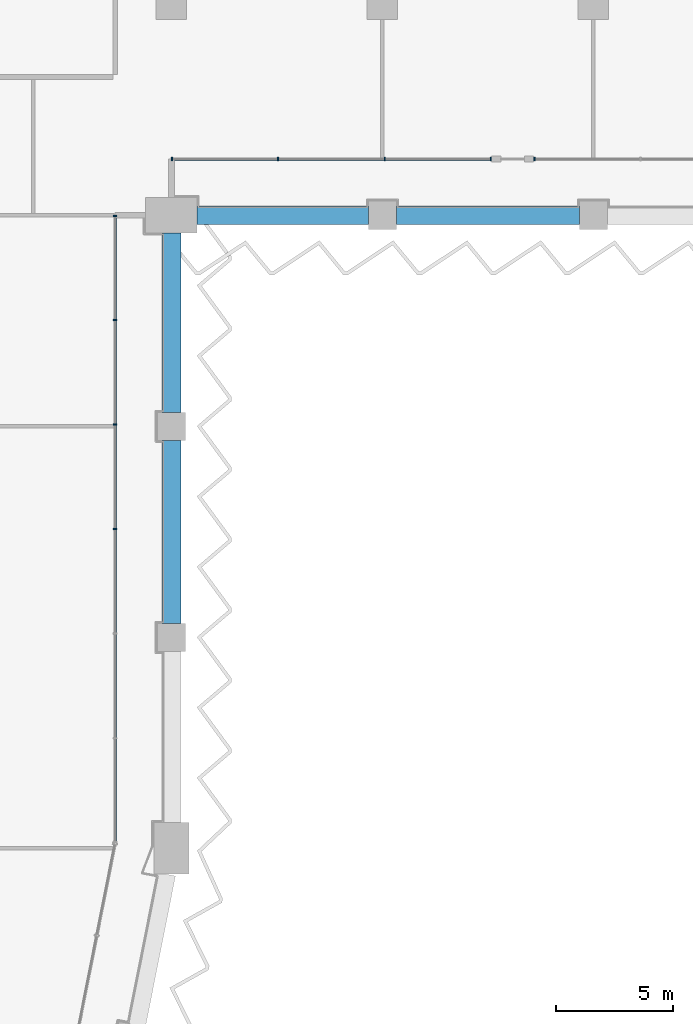
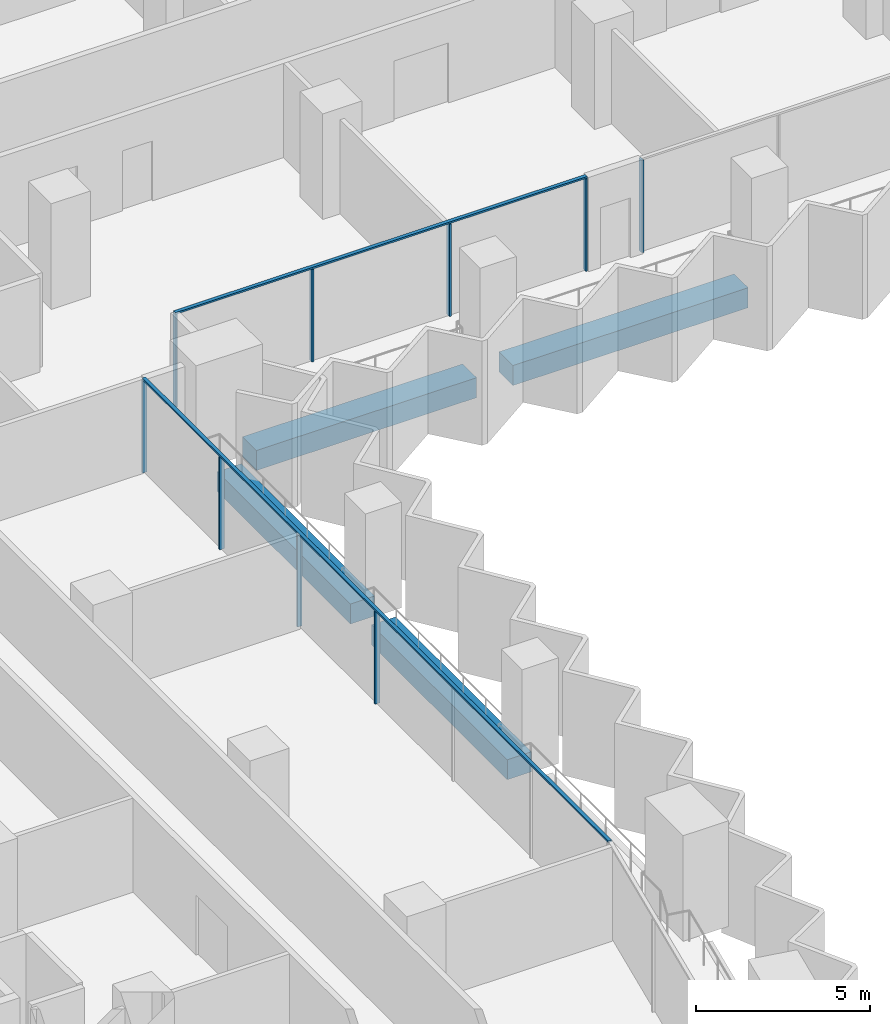
# One storey, part 4 of 23: 11 members, 4 beams, 3 elements without a shape of their own.
"""IFC4 building model written with IfcOpenShell, lengths in metres."""

import ifcopenshell
import ifcopenshell.guid

model = None  # the IFC model being written
_history = None  # IfcOwnerHistory: only IFC2X3 demands one
_inside = {}  # id of a spatial element -> (the spatial element, [elements in it])
_under = {}  # id of a project, library or spatial element -> (it, [spatial elements below it])
_declared = {}  # id of a project -> (the project, [libraries it declares])
_typed = {}  # id of a type object -> (the type object, [elements of that type])
_made_of = {}  # id of a material, layer set ... -> (it, [elements and type objects made of it])


def new_model(schema):
    """Start an empty IFC model of exactly this schema.

    Asked for "IFC4X3", IfcOpenShell would pick the latest addendum, in which some entities
    have other attributes; the version numbers below select the first issue.
    IFC2X3 requires an IfcOwnerHistory on every rooted entity: one is made here for all.
    """
    global model, _history
    if schema == "IFC4X3":
        model = ifcopenshell.file(schema_version=(4, 3, 0, 0))
    else:
        model = ifcopenshell.file(schema=schema)
    _inside.clear()
    _under.clear()
    _declared.clear()
    _typed.clear()
    _made_of.clear()
    _history = None
    if model.schema == "IFC2X3":
        org = make("IfcOrganization", Name="unknown")
        user = make(
            "IfcPersonAndOrganization",
            ThePerson=make("IfcPerson", FamilyName="unknown"),
            TheOrganization=org,
        )
        app = make(
            "IfcApplication",
            ApplicationDeveloper=org,
            Version="unknown",
            ApplicationFullName="unknown",
            ApplicationIdentifier="unknown",
        )
        _history = make(
            "IfcOwnerHistory",
            OwningUser=user,
            OwningApplication=app,
            ChangeAction="ADDED",
            CreationDate=0,
        )
    return model


def make(cls, **values):
    """One entity of the class cls with the attributes given. An attribute that is None is left unset."""
    return model.create_entity(
        cls, **{name: value for name, value in values.items() if value is not None}
    )


def rooted(cls, **values):
    """An entity with a GlobalId (a new one), such as an element, a storey or a relation."""
    return make(cls, GlobalId=ifcopenshell.guid.new(), OwnerHistory=_history, **values)


def si_unit(unit_type, name, prefix=None):
    """IfcSIUnit, for example si_unit("LENGTHUNIT", "METRE", prefix="MILLI")."""
    return make("IfcSIUnit", UnitType=unit_type, Prefix=prefix, Name=name)


def assignment(units):
    """IfcUnitAssignment: the units of a project."""
    return None if units is None else make("IfcUnitAssignment", Units=units)


def point(xyz):
    """IfcCartesianPoint."""
    return None if xyz is None else make("IfcCartesianPoint", Coordinates=xyz)


def direction(xyz):
    """IfcDirection."""
    return None if xyz is None else make("IfcDirection", DirectionRatios=xyz)


def frame(location, z_axis=None, x_axis=None):
    """IfcAxis2Placement3D, a coordinate frame: its origin and axes. An axis left out is left unset."""
    return make(
        "IfcAxis2Placement3D",
        Location=point(location),
        Axis=direction(z_axis),
        RefDirection=direction(x_axis),
    )


def frame_2d(location, x_axis=None):
    """IfcAxis2Placement2D, a coordinate frame in the plane: its origin and x axis."""
    return make(
        "IfcAxis2Placement2D", Location=point(location), RefDirection=direction(x_axis)
    )


def origin():
    """The frame at (0, 0, 0) with its axes left unset."""
    return frame((0.0, 0.0, 0.0))


def origin_2d():
    """The frame at (0, 0) in the plane with its x axis left unset."""
    return frame_2d((0.0, 0.0))


def place(relative_to, where):
    """IfcLocalPlacement: puts the frame where relative to a parent placement (None: the world)."""
    return make(
        "IfcLocalPlacement", PlacementRelTo=relative_to, RelativePlacement=where
    )


def context(
    kind, dimensions, precision=None, world=None, true_north=None, identifier=None
):
    """IfcGeometricRepresentationContext, for example the 3D "Model" context."""
    return make(
        "IfcGeometricRepresentationContext",
        ContextIdentifier=identifier,
        ContextType=kind,
        CoordinateSpaceDimension=dimensions,
        Precision=precision,
        WorldCoordinateSystem=world,
        TrueNorth=true_north,
    )


def subcontext(parent, identifier, kind, view, scale=None):
    """IfcGeometricRepresentationSubContext, for example "Body" below "Model"."""
    return make(
        "IfcGeometricRepresentationSubContext",
        ContextIdentifier=identifier,
        ContextType=kind,
        ParentContext=parent,
        TargetScale=scale,
        TargetView=view,
    )


def project(units=None, contexts=None):
    """IfcProject with its units and contexts."""
    return rooted(
        "IfcProject",
        Name="project",
        RepresentationContexts=contexts,
        UnitsInContext=assignment(units),
    )


def spatial(cls, under=None, at=None, **own):
    """A site, building, storey or space (cls), placed at a placement, below another one or the project."""
    s = rooted(cls, ObjectPlacement=at, **own)
    if under is not None:
        _under.setdefault(under.id(), (under, []))[1].append(s)
    return s


def profile(cls, at=None, kind="AREA", **sizes):
    """A parametric profile (cls). Its sizes go by their IFC names, for example OverallWidth=200.0."""
    return make(cls, ProfileType=kind, Position=at, **sizes)


def rectangle(**sizes):
    """IfcRectangleProfileDef."""
    return profile("IfcRectangleProfileDef", **sizes)


def extrude(swept, where, along, depth):
    """IfcExtrudedAreaSolid: the profile swept, set in the frame where, extruded along a direction by depth."""
    return make(
        "IfcExtrudedAreaSolid",
        SweptArea=swept,
        Position=where,
        ExtrudedDirection=direction(along),
        Depth=depth,
    )


def shape(context_of_items, identifier, shape_type, items):
    """IfcShapeRepresentation: the items that make up one representation, for example the "Body"."""
    return make(
        "IfcShapeRepresentation",
        ContextOfItems=context_of_items,
        RepresentationIdentifier=identifier,
        RepresentationType=shape_type,
        Items=items,
    )


def material(Name=None, Category=None):
    """IfcMaterial."""
    return make("IfcMaterial", Name=Name, Category=Category)


def material_profile(
    of_material, cross_section, Name=None, Category=None, Priority=None
):
    """IfcMaterialProfile: a cross section and its material."""
    return make(
        "IfcMaterialProfile",
        Name=Name,
        Material=of_material,
        Profile=cross_section,
        Priority=Priority,
        Category=Category,
    )


def profile_set(profiles, Name=None, composite=None):
    """IfcMaterialProfileSet."""
    return make(
        "IfcMaterialProfileSet",
        Name=Name,
        MaterialProfiles=profiles,
        CompositeProfile=composite,
    )


def made_of(thing, what):
    """Note that an element or type object is made of a material, layer set ...; save() writes the relation."""
    if what is not None:
        _made_of.setdefault(what.id(), (what, []))[1].append(thing)
    return thing


def type_object(cls, material=None, **own):
    """A type object (cls), such as IfcWallType, which elements share."""
    return made_of(rooted(cls, **own), material)


def element(
    cls,
    number,
    at=None,
    inside=None,
    cuts=None,
    type_object=None,
    material=None,
    context=None,
    identifier="Body",
    shape_type=None,
    held_by="IfcProductDefinitionShape",
    body=None,
    shapes=None,
    **own,
):
    """One element of the class cls, such as IfcWall. Its Tag is "e" and its number.

    at: its placement. inside: the storey or other place that contains it. cuts: it is an
    opening in that element (IfcRelVoidsElement). A single representation is given by context,
    identifier, shape_type and body (its items); several are given by shapes. held_by: the class
    of the entity that holds the representations. save() writes the other relations.
    """
    e = rooted(cls, Tag="e%d" % number, ObjectPlacement=at, **own)
    if body is not None:
        shapes = [shape(context, identifier, shape_type, body)]
    if shapes is not None:
        e.Representation = make(held_by, Representations=shapes)
    if inside is not None:
        _inside.setdefault(inside.id(), (inside, []))[1].append(e)
    if cuts is not None:
        rooted(
            "IfcRelVoidsElement", RelatingBuildingElement=cuts, RelatedOpeningElement=e
        )
    if type_object is not None:
        _typed.setdefault(type_object.id(), (type_object, []))[1].append(e)
    return made_of(e, material)


def aggregate(whole, parts):
    """IfcRelAggregates: a whole, such as a stair, and the parts it consists of."""
    return rooted("IfcRelAggregates", RelatingObject=whole, RelatedObjects=parts)


def save(model, path):
    """Write the relations noted so far, then the file.

    IfcRelAggregates (storeys below a building ...), IfcRelContainedInSpatialStructure (elements
    in a storey), IfcRelDefinesByType, IfcRelAssociatesMaterial and IfcRelDeclares: one each for
    every whole, place, type object, material and project.
    """
    for whole, parts in _under.values():
        aggregate(whole, parts)
    for where, things in _inside.values():
        rooted(
            "IfcRelContainedInSpatialStructure",
            RelatedElements=things,
            RelatingStructure=where,
        )
    for kind, things in _typed.values():
        rooted("IfcRelDefinesByType", RelatedObjects=things, RelatingType=kind)
    for what, things in _made_of.values():
        rooted("IfcRelAssociatesMaterial", RelatedObjects=things, RelatingMaterial=what)
    for by, libraries in _declared.values():
        rooted("IfcRelDeclares", RelatingContext=by, RelatedDefinitions=libraries)
    model.write(path)


model = new_model("IFC4")

# Units and contexts
model_context = context("Model", 3, precision=1e-05, world=origin(), true_north=direction((0.0, 1.0)))
body_context = subcontext(model_context, "Body", "Model", "MODEL_VIEW")
ifc_project = project(units=[si_unit("LENGTHUNIT", "METRE"), si_unit("AREAUNIT", "SQUARE_METRE"), si_unit("VOLUMEUNIT", "CUBIC_METRE"), si_unit("PLANEANGLEUNIT", "RADIAN"), si_unit("MASSUNIT", "GRAM", prefix="KILO")], contexts=[model_context])

# Site, building, storey
site_placement = place(None, origin())
site = spatial("IfcSite", under=ifc_project, at=site_placement, CompositionType="ELEMENT")
building_placement = place(site_placement, origin())
building = spatial("IfcBuilding", under=site, at=building_placement, Name="Hunhe Ridgeline Campus", CompositionType="ELEMENT")
storey_placement = place(building_placement, frame((0.0, 0.0, 103.300048828125)))
storey = spatial("IfcBuildingStorey", under=building, at=storey_placement, Name="L25", CompositionType="ELEMENT", Elevation=103.300048828125)

# Curtain wall, members
ifc_material_1 = material(Name="Aluminium 6063", Category="aluminium")
curtain_wall_type = type_object("IfcCurtainWallType", Name="Curtain wall CW-1", PredefinedType="NOTDEFINED", material=ifc_material_1)
curtain_wall_1_placement = place(storey_placement, origin())
curtain_wall_1 = element("IfcCurtainWall", 1, at=curtain_wall_1_placement, inside=storey, type_object=curtain_wall_type, Name="Curtain wall 11", PredefinedType="NOTDEFINED")
ifc_material_profile_1 = material_profile(ifc_material_1, rectangle(XDim=0.159912109375, YDim=0.06005859375, at=origin_2d()))
ifc_profile_set_1 = profile_set([ifc_material_profile_1], Name="Aluminium 6063")
member_type_1 = type_object("IfcMemberType", Name="CW-1 aluminium mullion", PredefinedType="MULLION", material=ifc_profile_set_1)
member_1_placement = place(storey_placement, frame((42.59912109375, 40.61865234375, 0.0), z_axis=(0.0, 0.0, 1.0), x_axis=(-0.99999999994, 1.0947456e-05, 0.0)))
member_1 = element("IfcMember", 2, at=member_1_placement, type_object=member_type_1, Name="CW-1 mullion 4", PredefinedType="MULLION", context=body_context, shape_type="SweptSolid", body=[
    extrude(rectangle(XDim=0.159912109375, YDim=0.06005859375, at=origin_2d()), origin(), (0.0, 0.0, 1.0), 3.239990234375),
])
member_2_placement = place(storey_placement, frame((42.59912109375, 45.079345703125, 0.0), z_axis=(0.0, 0.0, 1.0), x_axis=(-0.99999999994, 1.0947456e-05, 0.0)))
member_2 = element("IfcMember", 3, at=member_2_placement, type_object=member_type_1, Name="CW-1 mullion 5", PredefinedType="MULLION", context=body_context, shape_type="SweptSolid", body=[
    extrude(rectangle(XDim=0.159912109375, YDim=0.06005859375, at=origin_2d()), origin(), (0.0, 0.0, 1.0), 3.239990234375),
])
member_3_placement = place(storey_placement, frame((42.599365234375, 49.5400390625, 0.0), z_axis=(0.0, 0.0, 1.0), x_axis=(-0.99999999994, 1.0947456e-05, 0.0)))
member_3 = element("IfcMember", 4, at=member_3_placement, type_object=member_type_1, Name="CW-1 mullion 6", PredefinedType="MULLION", context=body_context, shape_type="SweptSolid", body=[
    extrude(rectangle(XDim=0.159912109375, YDim=0.06005859375, at=origin_2d()), origin(), (0.0, 0.0, 1.0), 3.239990234375),
])
member_4_placement = place(storey_placement, frame((42.599365234375, 53.970703125, 0.0), z_axis=(0.0, 0.0, 1.0), x_axis=(-0.99999999994, 1.0947456e-05, 0.0)))
member_4 = element("IfcMember", 5, at=member_4_placement, type_object=member_type_1, Name="CW-1 mullion 7", PredefinedType="MULLION", context=body_context, shape_type="SweptSolid", body=[
    extrude(rectangle(XDim=0.159912109375, YDim=0.06005859375, at=origin_2d()), origin(), (0.0, 0.0, 1.0), 3.239990234375),
])

curtain_wall_2_placement = place(storey_placement, origin())
curtain_wall_2 = element("IfcCurtainWall", 6, at=curtain_wall_2_placement, inside=storey, type_object=curtain_wall_type, Name="Curtain wall 12", PredefinedType="NOTDEFINED")
member_5_placement = place(storey_placement, frame((45.02978515625, 56.40087890625, 0.0), z_axis=(0.0, 0.0, 1.0), x_axis=(-1.4652e-07, 1.0, 0.0)))
member_5 = element("IfcMember", 7, at=member_5_placement, type_object=member_type_1, Name="CW-1 mullion 1", PredefinedType="MULLION", context=body_context, shape_type="SweptSolid", body=[
    extrude(rectangle(XDim=0.159912109375, YDim=0.06005859375, at=origin_2d()), origin(), (0.0, 0.0, 1.0), 3.239990234375),
])
member_6_placement = place(storey_placement, frame((49.5498046875, 56.40087890625, 0.0), z_axis=(0.0, 0.0, 1.0), x_axis=(-1.4652e-07, 1.0, 0.0)))
member_6 = element("IfcMember", 8, at=member_6_placement, type_object=member_type_1, Name="CW-1 mullion 2", PredefinedType="MULLION", context=body_context, shape_type="SweptSolid", body=[
    extrude(rectangle(XDim=0.159912109375, YDim=0.06005859375, at=origin_2d()), origin(), (0.0, 0.0, 1.0), 3.239990234375),
])
member_7_placement = place(storey_placement, frame((54.099609375, 56.40087890625, 0.0), z_axis=(0.0, 0.0, 1.0), x_axis=(-1.4652e-07, 1.0, 0.0)))
member_7 = element("IfcMember", 9, at=member_7_placement, type_object=member_type_1, Name="CW-1 mullion 3", PredefinedType="MULLION", context=body_context, shape_type="SweptSolid", body=[
    extrude(rectangle(XDim=0.159912109375, YDim=0.06005859375, at=origin_2d()), origin(), (0.0, 0.0, 1.0), 3.239990234375),
])
member_8_placement = place(storey_placement, frame((58.619384765625, 56.40087890625, 0.0), z_axis=(0.0, 0.0, 1.0), x_axis=(-1.4652e-07, 1.0, 0.0)))
member_8 = element("IfcMember", 10, at=member_8_placement, type_object=member_type_1, Name="CW-1 mullion 4", PredefinedType="MULLION", context=body_context, shape_type="SweptSolid", body=[
    extrude(rectangle(XDim=0.159912109375, YDim=0.06005859375, at=origin_2d()), origin(), (0.0, 0.0, 1.0), 3.239990234375),
])

# Curtain wall, member
curtain_wall_3_placement = place(storey_placement, origin())
curtain_wall_3 = element("IfcCurtainWall", 11, at=curtain_wall_3_placement, inside=storey, type_object=curtain_wall_type, Name="Curtain wall 13", PredefinedType="NOTDEFINED")
member_9_placement = place(storey_placement, frame((60.4794921875, 56.40087890625, 0.0), z_axis=(0.0, 0.0, 1.0), x_axis=(-1.4652e-07, 1.0, 0.0)))
member_9 = element("IfcMember", 12, at=member_9_placement, type_object=member_type_1, Name="CW-1 mullion 1", PredefinedType="MULLION", context=body_context, shape_type="SweptSolid", body=[
    extrude(rectangle(XDim=0.159912109375, YDim=0.06005859375, at=origin_2d()), origin(), (0.0, 0.0, 1.0), 3.239990234375),
])
aggregate(curtain_wall_3, [member_9])

# Member
ifc_material_profile_2 = material_profile(ifc_material_1, rectangle(XDim=0.1201171875, YDim=0.06005859375, at=origin_2d()))
ifc_profile_set_2 = profile_set([ifc_material_profile_2], Name="Aluminium 6063")
member_type_2 = type_object("IfcMemberType", Name="CW-1 aluminium transom", PredefinedType="USERDEFINED", material=ifc_profile_set_2)
member_10_placement = place(storey_placement, frame((42.59912109375, 27.236572265625, 3.27001953125), z_axis=(9.121924e-06, 0.999999999958, 0.0), x_axis=(-0.999999999958, 9.121924e-06, 0.0)))
member_10 = element("IfcMember", 13, at=member_10_placement, type_object=member_type_2, Name="CW-1 transom 1", ObjectType="TRANSOM", PredefinedType="USERDEFINED", context=body_context, shape_type="SweptSolid", body=[
    extrude(rectangle(XDim=0.1201171875, YDim=0.06005859375, at=origin_2d()), origin(), (0.0, 0.0, 1.0), 26.76416015625),
])

aggregate(curtain_wall_1, [member_10, member_1, member_2, member_3, member_4])

member_11_placement = place(storey_placement, frame((45.0, 56.40087890625, 3.27001953125), z_axis=(1.0, 0.0, 0.0), x_axis=(0.0, 1.0, 0.0)))
member_11 = element("IfcMember", 14, at=member_11_placement, type_object=member_type_2, Name="CW-1 transom 1", ObjectType="TRANSOM", PredefinedType="USERDEFINED", context=body_context, shape_type="SweptSolid", body=[
    extrude(rectangle(XDim=0.1201171875, YDim=0.06005859375, at=origin_2d()), origin(), (0.0, 0.0, 1.0), 13.6494140625),
])

aggregate(curtain_wall_2, [member_11, member_5, member_6, member_7, member_8])

# Beams
ifc_material_2 = material(Name="Concrete C60", Category="concrete")
ifc_material_profile_3 = material_profile(ifc_material_2, rectangle(XDim=0.800048828125, YDim=0.699951171875, at=origin_2d()))
ifc_profile_set_3 = profile_set([ifc_material_profile_3], Name="Concrete C60")
beam_type = type_object("IfcBeamType", Name="RC spandrel beam 800x700 Concrete C60", PredefinedType="SPANDREL", material=ifc_profile_set_3)
beam_1_placement = place(storey_placement, frame((45.0, 36.60009765625, -0.60009765625), z_axis=(0.0, 1.0, 0.0), x_axis=(-1.0, 0.0, 0.0)))
element("IfcBeam", 15, at=beam_1_placement, inside=storey, type_object=beam_type, Name="Spandrel beam B1-10 L25", PredefinedType="SPANDREL", context=body_context, shape_type="SweptSolid", body=[
    extrude(rectangle(XDim=0.800048828125, YDim=0.699951171875, at=origin_2d()), origin(), (0.0, 0.0, 1.0), 7.7998046875),
])
beam_2_placement = place(storey_placement, frame((45.0, 45.60009765625, -0.60009765625), z_axis=(0.0, 1.0, 0.0), x_axis=(-1.0, 0.0, 0.0)))
element("IfcBeam", 16, at=beam_2_placement, inside=storey, type_object=beam_type, Name="Spandrel beam B1-11 L25", PredefinedType="SPANDREL", context=body_context, shape_type="SweptSolid", body=[
    extrude(rectangle(XDim=0.800048828125, YDim=0.699951171875, at=origin_2d()), origin(), (0.0, 0.0, 1.0), 7.64990234375),
])
beam_3_placement = place(storey_placement, frame((46.10009765625, 54.0, -0.60009765625), z_axis=(1.0, 0.0, 0.0), x_axis=(0.0, 1.0, 0.0)))
element("IfcBeam", 17, at=beam_3_placement, inside=storey, type_object=beam_type, Name="Spandrel beam B1-12 L25", PredefinedType="SPANDREL", context=body_context, shape_type="SweptSolid", body=[
    extrude(rectangle(XDim=0.800048828125, YDim=0.699951171875, at=origin_2d()), origin(), (0.0, 0.0, 1.0), 7.2998046875),
])
beam_4_placement = place(storey_placement, frame((54.60009765625, 54.0, -0.60009765625), z_axis=(1.0, 0.0, 0.0), x_axis=(0.0, 1.0, 0.0)))
element("IfcBeam", 18, at=beam_4_placement, inside=storey, type_object=beam_type, Name="Spandrel beam B1-13 L25", PredefinedType="SPANDREL", context=body_context, shape_type="SweptSolid", body=[
    extrude(rectangle(XDim=0.800048828125, YDim=0.699951171875, at=origin_2d()), origin(), (0.0, 0.0, 1.0), 7.7998046875),
])

save(model, "model.ifc")
